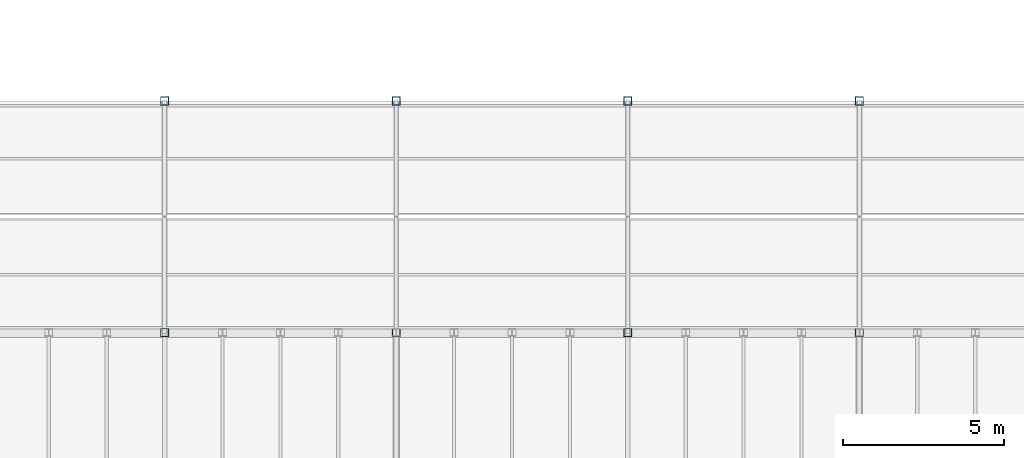
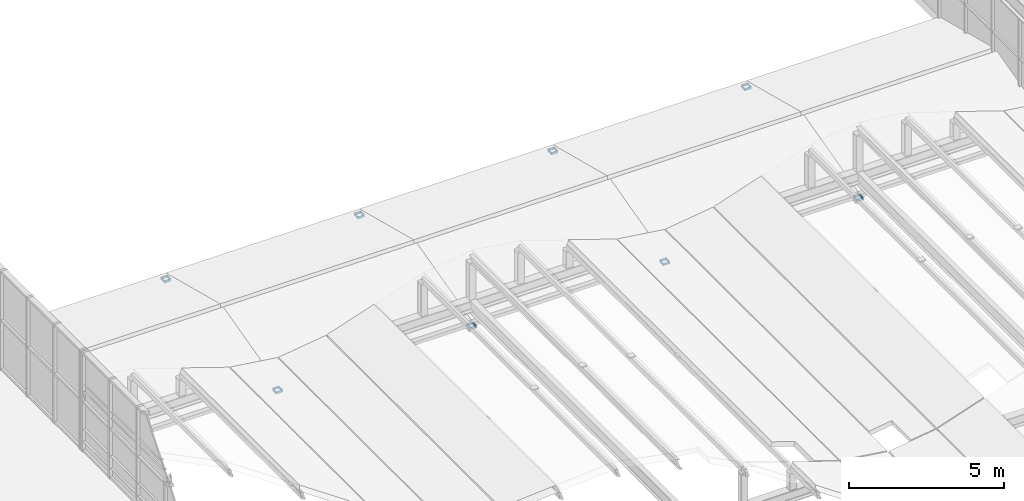
# One storey, part 6 of 83: 8 columns.
"""IFC4 building model written with IfcOpenShell, lengths in metres."""

from ifc_helpers import new_model, si_unit, direction, frame, origin, origin_2d, place, context, subcontext, project, spatial, hollow_rectangle, extrude, material, material_profile, profile_set, type_object, element, save


model = new_model("IFC4")

# Units and contexts
model_context = context("Model", 3, precision=1e-05, world=origin(), true_north=direction((0.0, 1.0)))
body_context = subcontext(model_context, "Body", "Model", "MODEL_VIEW")
ifc_project = project(units=[si_unit("LENGTHUNIT", "METRE"), si_unit("AREAUNIT", "SQUARE_METRE"), si_unit("VOLUMEUNIT", "CUBIC_METRE"), si_unit("PLANEANGLEUNIT", "RADIAN"), si_unit("MASSUNIT", "GRAM", prefix="KILO")], contexts=[model_context])

# Site, building, storey
site_placement = place(None, origin())
site = spatial("IfcSite", under=ifc_project, at=site_placement, CompositionType="ELEMENT")
building_placement = place(site_placement, origin())
building = spatial("IfcBuilding", under=site, at=building_placement, Name="Leyfeld Transit Interchange", CompositionType="ELEMENT")
storey_placement = place(building_placement, frame((0.0, 0.0, 5.39990234375)))
storey = spatial("IfcBuildingStorey", under=building, at=storey_placement, Name="L01", CompositionType="ELEMENT", Elevation=5.39990234375)

# Columns
ifc_material = material(Name="Steel S355J2", Category="steel")
ifc_material_profile = material_profile(ifc_material, hollow_rectangle(XDim=0.25, YDim=0.25, WallThickness=0.012451171875, at=origin_2d()), Name="SHS 250x250x12.5")
ifc_profile_set = profile_set([ifc_material_profile], Name="Steel S355J2")
column_type = type_object("IfcColumnType", Name="COL-STL-SHS250", PredefinedType="COLUMN", material=ifc_profile_set)
for number, where, z_axis, x_axis, name in (
    (1, (108.0, 43.199951171875, -0.239990234375), (0.0, 0.0, 1.0), (1.0, 0.0, 0.0), "Passage Eave Post 02S"),
    (2, (108.0, 50.39990234375, -0.239990234375), (0.0, 0.0, 1.0), (1.0, 0.0, 0.0), "Passage Eave Post 02N"),
    (3, (115.199951171875, 43.199951171875, -0.239990234375), (0.0, 0.0, 1.0), (1.0, 0.0, 0.0), "Passage Eave Post 03S"),
    (4, (115.199951171875, 50.39990234375, -0.239990234375), (0.0, 0.0, 1.0), (1.0, 0.0, 0.0), "Passage Eave Post 03N"),
    (5, (122.39990234375, 43.199951171875, -0.239990234375), (0.0, 0.0, 1.0), (1.0, 0.0, 0.0), "Passage Eave Post 04S"),
    (6, (122.39990234375, 50.39990234375, -0.239990234375), (0.0, 0.0, 1.0), (1.0, 0.0, 0.0), "Passage Eave Post 04N"),
    (7, (129.60009765625, 43.199951171875, -0.239990234375), (0.0, 0.0, 1.0), (1.0, 0.0, 0.0), "Passage Eave Post 05S"),
    (8, (129.60009765625, 50.39990234375, -0.239990234375), (0.0, 0.0, 1.0), (1.0, 0.0, 0.0), "Passage Eave Post 05N"),
):
    element("IfcColumn", number, at=place(storey_placement, frame(where, z_axis=z_axis, x_axis=x_axis)), inside=storey, type_object=column_type, Name=name, PredefinedType="COLUMN", context=body_context, shape_type="SweptSolid", body=[
        extrude(hollow_rectangle(XDim=0.25, YDim=0.25, WallThickness=0.012451171875, at=origin_2d()), origin(), (0.0, 0.0, 1.0), 0.10009765625),
    ])

save(model, "model.ifc")
